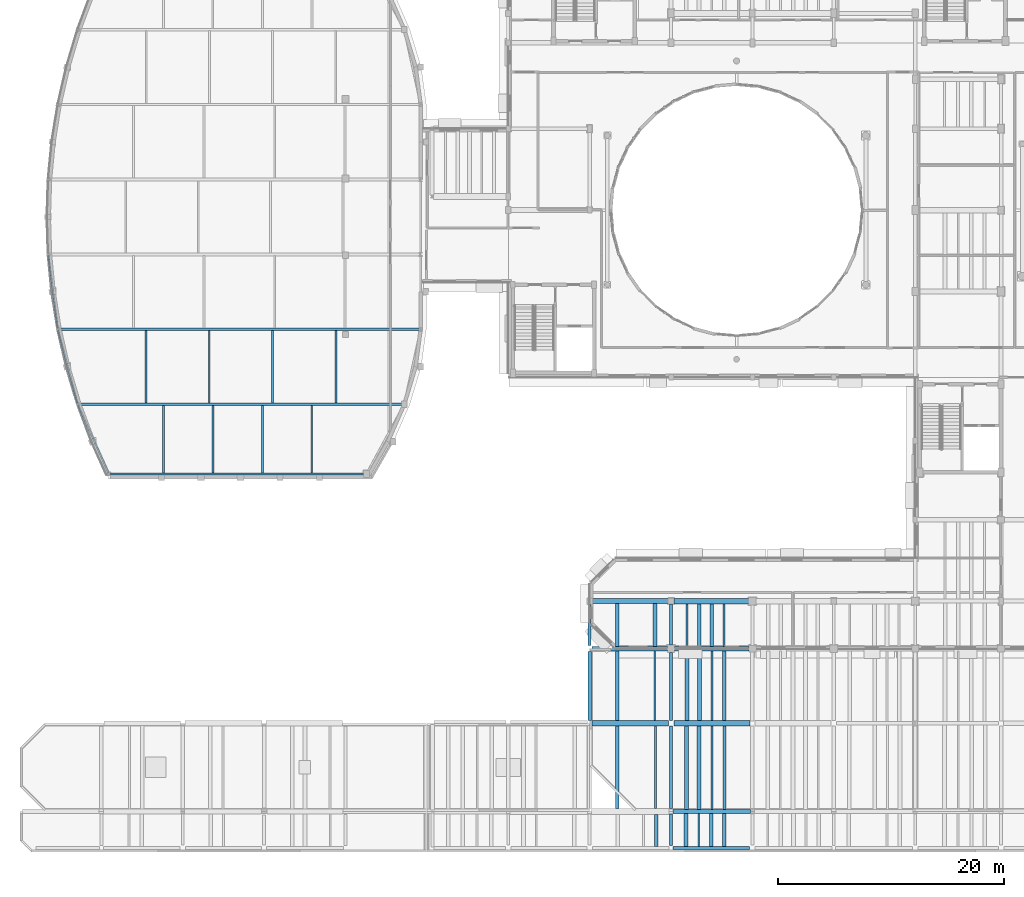
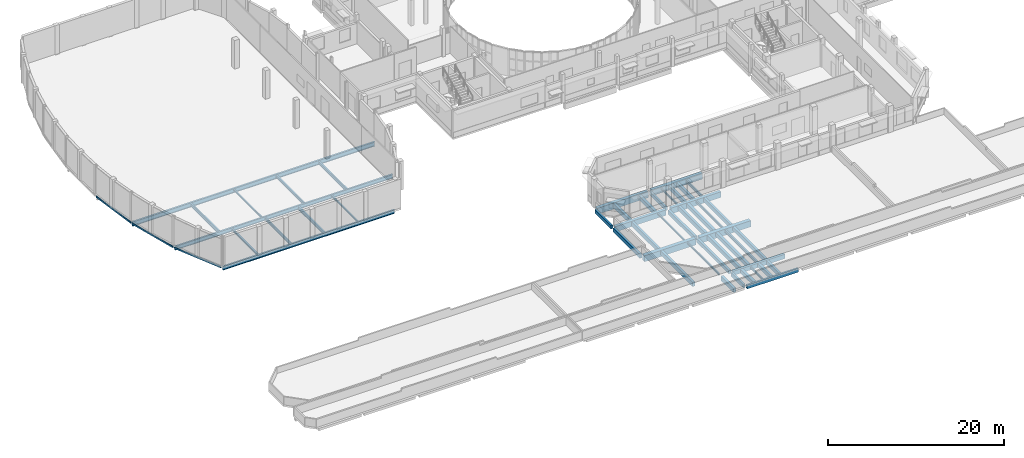
# One storey, part 19 of 105: 51 beams.
"""IFC4 building model written with IfcOpenShell, lengths in metres."""

from ifc_helpers import new_model, si_unit, direction, frame, origin, origin_2d, place, context, subcontext, project, spatial, rectangle, hollow_rectangle, i_section, extrude, material, material_profile, profile_set, type_object, element, save


model = new_model("IFC4")

# Units and contexts
model_context = context("Model", 3, precision=1e-05, world=origin(), true_north=direction((0.0, 1.0)))
body_context = subcontext(model_context, "Body", "Model", "MODEL_VIEW")
ifc_project = project(units=[si_unit("LENGTHUNIT", "METRE"), si_unit("AREAUNIT", "SQUARE_METRE"), si_unit("VOLUMEUNIT", "CUBIC_METRE"), si_unit("PLANEANGLEUNIT", "RADIAN"), si_unit("MASSUNIT", "GRAM", prefix="KILO")], contexts=[model_context])

# Site, building, storey
site_placement = place(None, origin())
site = spatial("IfcSite", under=ifc_project, at=site_placement, CompositionType="ELEMENT")
building_placement = place(site_placement, origin())
building = spatial("IfcBuilding", under=site, at=building_placement, Name="Kelanivale Promenade Academy", CompositionType="ELEMENT")
storey_placement = place(building_placement, frame((0.0, 0.0, 4.199951171875)))
storey = spatial("IfcBuildingStorey", under=building, at=storey_placement, Name="L01", CompositionType="ELEMENT", Elevation=4.199951171875)

# Beams
ifc_material_1 = material(Name="Concrete C35/45", Category="concrete")
ifc_material_profile_1 = material_profile(ifc_material_1, rectangle(XDim=0.449951171875, YDim=0.85009765625, at=origin_2d()), Name="RC-BM 450x850")
ifc_profile_set_1 = profile_set([ifc_material_profile_1], Name="Concrete C35/45")
beam_type_1 = type_object("IfcBeamType", Name="BM-05 RC-BM 450x850", PredefinedType="BEAM", material=ifc_profile_set_1)
beam_1_placement = place(storey_placement, frame((50.64501953125, 22.199951171875, -0.64501953125), z_axis=(1.0, 0.0, 0.0), x_axis=(0.0, 1.0, 0.0)))
element("IfcBeam", 1, at=beam_1_placement, inside=storey, type_object=beam_type_1, Name="L01 girder BM-05", PredefinedType="BEAM", context=body_context, shape_type="SweptSolid", body=[
    extrude(rectangle(XDim=0.449951171875, YDim=0.85009765625, at=origin_2d()), origin(), (0.0, 0.0, 1.0), 6.7099609375),
])
ifc_material_profile_2 = material_profile(ifc_material_1, rectangle(XDim=0.5, YDim=0.75, at=origin_2d()), Name="RC-BM 500x750")
ifc_profile_set_2 = profile_set([ifc_material_profile_2], Name="Concrete C35/45")
beam_type_2 = type_object("IfcBeamType", Name="BM-06 RC-BM 500x750", PredefinedType="BEAM", material=ifc_profile_set_2)
beam_2_placement = place(storey_placement, frame((57.844970703125, 22.199951171875, -0.594970703125), z_axis=(1.0, 0.0, 0.0), x_axis=(0.0, 1.0, 0.0)))
element("IfcBeam", 2, at=beam_2_placement, inside=storey, type_object=beam_type_2, Name="L01 girder BM-06", PredefinedType="BEAM", context=body_context, shape_type="SweptSolid", body=[
    extrude(rectangle(XDim=0.5, YDim=0.75, at=origin_2d()), origin(), (0.0, 0.0, 1.0), 6.635009765625),
])
ifc_material_profile_3 = material_profile(ifc_material_1, rectangle(XDim=0.5, YDim=0.85009765625, at=origin_2d()), Name="RC-BM 500x850")
ifc_profile_set_3 = profile_set([ifc_material_profile_3], Name="Concrete C35/45")
beam_type_3 = type_object("IfcBeamType", Name="BM-07 RC-BM 500x850", PredefinedType="BEAM", material=ifc_profile_set_3)
beam_3_placement = place(storey_placement, frame((50.594970703125, 11.39990234375, -0.6650390625), z_axis=(1.0, 0.0, 0.0), x_axis=(0.0, 1.0, 0.0)))
element("IfcBeam", 3, at=beam_3_placement, inside=storey, type_object=beam_type_3, Name="L01 girder BM-07", PredefinedType="BEAM", context=body_context, shape_type="SweptSolid", body=[
    extrude(rectangle(XDim=0.5, YDim=0.85009765625, at=origin_2d()), origin(), (0.0, 0.0, 1.0), 6.760009765625),
])
beam_4_placement = place(storey_placement, frame((57.844970703125, 11.39990234375, -0.6650390625), z_axis=(1.0, 0.0, 0.0), x_axis=(0.0, 1.0, 0.0)))
element("IfcBeam", 4, at=beam_4_placement, inside=storey, type_object=beam_type_3, Name="L01 girder BM-07", PredefinedType="BEAM", context=body_context, shape_type="SweptSolid", body=[
    extrude(rectangle(XDim=0.5, YDim=0.85009765625, at=origin_2d()), origin(), (0.0, 0.0, 1.0), 6.735107421875),
])
ifc_material_profile_4 = material_profile(ifc_material_1, rectangle(XDim=0.35009765625, YDim=0.60009765625, at=origin_2d()), Name="RC-BM 350x600")
ifc_profile_set_4 = profile_set([ifc_material_profile_4], Name="Concrete C35/45")
beam_type_4 = type_object("IfcBeamType", Name="BM-09 RC-BM 350x600", PredefinedType="BEAM", material=ifc_profile_set_4)
beam_5_placement = place(storey_placement, frame((57.794921875, 3.60009765625, -0.5400390625), z_axis=(1.0, 0.0, 0.0), x_axis=(0.0, 1.0, 0.0)))
element("IfcBeam", 5, at=beam_5_placement, inside=storey, type_object=beam_type_4, Name="L01 girder BM-09", PredefinedType="BEAM", context=body_context, shape_type="SweptSolid", body=[
    extrude(rectangle(XDim=0.35009765625, YDim=0.60009765625, at=origin_2d()), origin(), (0.0, 0.0, 1.0), 6.8349609375),
])
ifc_material_profile_5 = material_profile(ifc_material_1, rectangle(XDim=0.39990234375, YDim=0.75, at=origin_2d()), Name="RC-BM 400x750")
ifc_profile_set_5 = profile_set([ifc_material_profile_5], Name="Concrete C35/45")
beam_type_5 = type_object("IfcBeamType", Name="BM-13 RC-BM 400x750", PredefinedType="BEAM", material=ifc_profile_set_5)
beam_6_placement = place(storey_placement, frame((50.6201171875, 18.0, -0.594970703125), z_axis=(1.0, 0.0, 0.0), x_axis=(0.0, 1.0, 0.0)))
element("IfcBeam", 6, at=beam_6_placement, inside=storey, type_object=beam_type_5, Name="L01 girder BM-13", PredefinedType="BEAM", context=body_context, shape_type="SweptSolid", body=[
    extrude(rectangle(XDim=0.39990234375, YDim=0.75, at=origin_2d()), origin(), (0.0, 0.0, 1.0), 6.659912109375),
])
ifc_material_profile_6 = material_profile(ifc_material_1, rectangle(XDim=0.39990234375, YDim=0.800048828125, at=origin_2d()), Name="RC-BM 400x800")
ifc_profile_set_6 = profile_set([ifc_material_profile_6], Name="Concrete C35/45")
beam_type_6 = type_object("IfcBeamType", Name="BM-14 RC-BM 400x800", PredefinedType="BEAM", material=ifc_profile_set_6)
beam_7_placement = place(storey_placement, frame((57.919921875, 18.0, -0.619873046875), z_axis=(1.0, 0.0, 0.0), x_axis=(0.0, 1.0, 0.0)))
element("IfcBeam", 7, at=beam_7_placement, inside=storey, type_object=beam_type_6, Name="L01 girder BM-14", PredefinedType="BEAM", context=body_context, shape_type="SweptSolid", body=[
    extrude(rectangle(XDim=0.39990234375, YDim=0.800048828125, at=origin_2d()), origin(), (0.0, 0.0, 1.0), 6.5849609375),
])
ifc_material_profile_7 = material_profile(ifc_material_1, rectangle(XDim=0.300048828125, YDim=0.5, at=origin_2d()), Name="RC-BM 300x500")
ifc_profile_set_7 = profile_set([ifc_material_profile_7], Name="Concrete C35/45")
beam_type_7 = type_object("IfcBeamType", Name="JS-01 RC-BM 300x500", PredefinedType="JOIST", material=ifc_profile_set_7)
beam_8_placement = place(storey_placement, frame((57.60009765625, 3.844970703125, -0.489990234375), z_axis=(0.0, 1.0, 0.0), x_axis=(-1.0, 0.0, 0.0)))
element("IfcBeam", 8, at=beam_8_placement, inside=storey, type_object=beam_type_7, Name="L01 beam JS-01", PredefinedType="JOIST", context=body_context, shape_type="SweptSolid", body=[
    extrude(rectangle(XDim=0.300048828125, YDim=0.5, at=origin_2d()), origin(), (0.0, 0.0, 1.0), 7.31005859375),
])
ifc_material_profile_8 = material_profile(ifc_material_1, rectangle(XDim=0.300048828125, YDim=0.550048828125, at=origin_2d()), Name="RC-BM 300x550")
ifc_profile_set_8 = profile_set([ifc_material_profile_8], Name="Concrete C35/45")
beam_type_8 = type_object("IfcBeamType", Name="JS-02 RC-BM 300x550", PredefinedType="JOIST", material=ifc_profile_set_8)
beam_9_placement = place(storey_placement, frame((50.39990234375, 11.64501953125, -0.514892578125), z_axis=(0.0, 1.0, 0.0), x_axis=(-1.0, 0.0, 0.0)))
element("IfcBeam", 9, at=beam_9_placement, inside=storey, type_object=beam_type_8, Name="L01 beam JS-02", PredefinedType="JOIST", context=body_context, shape_type="SweptSolid", body=[
    extrude(rectangle(XDim=0.300048828125, YDim=0.550048828125, at=origin_2d()), origin(), (0.0, 0.0, 1.0), 6.0849609375),
])
beam_10_placement = place(storey_placement, frame((57.60009765625, 11.64501953125, -0.514892578125), z_axis=(0.0, 1.0, 0.0), x_axis=(-1.0, 0.0, 0.0)))
element("IfcBeam", 10, at=beam_10_placement, inside=storey, type_object=beam_type_8, Name="L01 beam JS-02", PredefinedType="JOIST", context=body_context, shape_type="SweptSolid", body=[
    extrude(rectangle(XDim=0.300048828125, YDim=0.550048828125, at=origin_2d()), origin(), (0.0, 0.0, 1.0), 6.034912109375),
])
beam_11_placement = place(storey_placement, frame((61.175048828125, 0.489990234375, -0.514892578125), z_axis=(0.0, 1.0, 0.0), x_axis=(-1.0, 0.0, 0.0)))
element("IfcBeam", 11, at=beam_11_placement, inside=storey, type_object=beam_type_8, Name="L01 secondary sub-beam JS-02", PredefinedType="JOIST", context=body_context, shape_type="SweptSolid", body=[
    extrude(rectangle(XDim=0.300048828125, YDim=0.550048828125, at=origin_2d()), origin(), (0.0, 0.0, 1.0), 2.93505859375),
])
beam_12_placement = place(storey_placement, frame((62.3349609375, 3.77490234375, -0.514892578125), z_axis=(0.0, 1.0, 0.0), x_axis=(-1.0, 0.0, 0.0)))
element("IfcBeam", 12, at=beam_12_placement, inside=storey, type_object=beam_type_8, Name="L01 secondary sub-beam JS-02", PredefinedType="JOIST", context=body_context, shape_type="SweptSolid", body=[
    extrude(rectangle(XDim=0.300048828125, YDim=0.550048828125, at=origin_2d()), origin(), (0.0, 0.0, 1.0), 7.375),
])
beam_13_placement = place(storey_placement, frame((62.31005859375, 11.64990234375, -0.514892578125), z_axis=(0.0, 1.0, 0.0), x_axis=(-1.0, 0.0, 0.0)))
element("IfcBeam", 13, at=beam_13_placement, inside=storey, type_object=beam_type_8, Name="L01 secondary sub-beam JS-02", PredefinedType="JOIST", context=body_context, shape_type="SweptSolid", body=[
    extrude(rectangle(XDim=0.300048828125, YDim=0.550048828125, at=origin_2d()), origin(), (0.0, 0.0, 1.0), 6.150146484375),
])
beam_14_placement = place(storey_placement, frame((60.10693359375, 18.199951171875, -0.494873046875), z_axis=(0.0, 1.0, 0.0), x_axis=(-1.0, 0.0, 0.0)))
element("IfcBeam", 14, at=beam_14_placement, inside=storey, type_object=beam_type_8, Name="L01 secondary sub-beam JS-02", PredefinedType="JOIST", context=body_context, shape_type="SweptSolid", body=[
    extrude(rectangle(XDim=0.300048828125, YDim=0.550048828125, at=origin_2d()), origin(), (0.0, 0.0, 1.0), 3.75),
])
ifc_material_profile_9 = material_profile(ifc_material_1, rectangle(XDim=0.300048828125, YDim=0.60009765625, at=origin_2d()), Name="RC-BM 300x600")
ifc_profile_set_9 = profile_set([ifc_material_profile_9], Name="Concrete C35/45")
beam_type_9 = type_object("IfcBeamType", Name="JS-03 RC-BM 300x600", PredefinedType="JOIST", material=ifc_profile_set_9)
beam_15_placement = place(storey_placement, frame((62.302001953125, 0.489990234375, -0.5400390625), z_axis=(0.0, 1.0, 0.0), x_axis=(-1.0, 0.0, 0.0)))
element("IfcBeam", 15, at=beam_15_placement, inside=storey, type_object=beam_type_9, Name="L01 secondary sub-beam JS-03", PredefinedType="JOIST", context=body_context, shape_type="SweptSolid", body=[
    extrude(rectangle(XDim=0.300048828125, YDim=0.60009765625, at=origin_2d()), origin(), (0.0, 0.0, 1.0), 2.93505859375),
])
beam_16_placement = place(storey_placement, frame((52.847900390625, 3.85009765625, -0.5400390625), z_axis=(0.0, 1.0, 0.0), x_axis=(-1.0, 0.0, 0.0)))
element("IfcBeam", 16, at=beam_16_placement, inside=storey, type_object=beam_type_9, Name="L01 secondary sub-beam JS-03", PredefinedType="JOIST", context=body_context, shape_type="SweptSolid", body=[
    extrude(rectangle(XDim=0.300048828125, YDim=0.60009765625, at=origin_2d()), origin(), (0.0, 0.0, 1.0), 7.2998046875),
])
beam_17_placement = place(storey_placement, frame((52.840087890625, 11.64990234375, -0.5400390625), z_axis=(0.0, 1.0, 0.0), x_axis=(-1.0, 0.0, 0.0)))
element("IfcBeam", 17, at=beam_17_placement, inside=storey, type_object=beam_type_9, Name="L01 secondary sub-beam JS-03", PredefinedType="JOIST", context=body_context, shape_type="SweptSolid", body=[
    extrude(rectangle(XDim=0.300048828125, YDim=0.60009765625, at=origin_2d()), origin(), (0.0, 0.0, 1.0), 6.150146484375),
])
beam_18_placement = place(storey_placement, frame((61.199951171875, 18.199951171875, -0.52001953125), z_axis=(0.0, 1.0, 0.0), x_axis=(-1.0, 0.0, 0.0)))
element("IfcBeam", 18, at=beam_18_placement, inside=storey, type_object=beam_type_9, Name="L01 secondary sub-beam JS-03", PredefinedType="JOIST", context=body_context, shape_type="SweptSolid", body=[
    extrude(rectangle(XDim=0.300048828125, YDim=0.60009765625, at=origin_2d()), origin(), (0.0, 0.0, 1.0), 3.75),
])
ifc_material_profile_10 = material_profile(ifc_material_1, rectangle(XDim=0.320068359375, YDim=0.60009765625, at=origin_2d()), Name="RC-BM 320x600")
ifc_profile_set_10 = profile_set([ifc_material_profile_10], Name="Concrete C35/45")
beam_type_10 = type_object("IfcBeamType", Name="JS-05 RC-BM 320x600", PredefinedType="JOIST", material=ifc_profile_set_10)
beam_19_placement = place(storey_placement, frame((56.278076171875, 0.489990234375, -0.5400390625), z_axis=(0.0, 1.0, 0.0), x_axis=(-1.0, 0.0, 0.0)))
element("IfcBeam", 19, at=beam_19_placement, inside=storey, type_object=beam_type_10, Name="L01 secondary sub-beam JS-05", PredefinedType="JOIST", context=body_context, shape_type="SweptSolid", body=[
    extrude(rectangle(XDim=0.320068359375, YDim=0.60009765625, at=origin_2d()), origin(), (0.0, 0.0, 1.0), 2.860107421875),
])
beam_20_placement = place(storey_placement, frame((58.968017578125, 3.77490234375, -0.5400390625), z_axis=(0.0, 1.0, 0.0), x_axis=(-1.0, 0.0, 0.0)))
element("IfcBeam", 20, at=beam_20_placement, inside=storey, type_object=beam_type_10, Name="L01 secondary sub-beam JS-05", PredefinedType="JOIST", context=body_context, shape_type="SweptSolid", body=[
    extrude(rectangle(XDim=0.320068359375, YDim=0.60009765625, at=origin_2d()), origin(), (0.0, 0.0, 1.0), 7.375),
])
beam_21_placement = place(storey_placement, frame((59.01708984375, 11.64990234375, -0.5400390625), z_axis=(0.0, 1.0, 0.0), x_axis=(-1.0, 0.0, 0.0)))
element("IfcBeam", 21, at=beam_21_placement, inside=storey, type_object=beam_type_10, Name="L01 secondary sub-beam JS-05", PredefinedType="JOIST", context=body_context, shape_type="SweptSolid", body=[
    extrude(rectangle(XDim=0.320068359375, YDim=0.60009765625, at=origin_2d()), origin(), (0.0, 0.0, 1.0), 6.150146484375),
])
beam_22_placement = place(storey_placement, frame((52.85693359375, 18.199951171875, -0.52001953125), z_axis=(0.0, 1.0, 0.0), x_axis=(-1.0, 0.0, 0.0)))
element("IfcBeam", 22, at=beam_22_placement, inside=storey, type_object=beam_type_10, Name="L01 secondary sub-beam JS-05", PredefinedType="JOIST", context=body_context, shape_type="SweptSolid", body=[
    extrude(rectangle(XDim=0.320068359375, YDim=0.60009765625, at=origin_2d()), origin(), (0.0, 0.0, 1.0), 3.775146484375),
])
ifc_material_profile_11 = material_profile(ifc_material_1, rectangle(XDim=0.35009765625, YDim=0.550048828125, at=origin_2d()), Name="RC-BM 350x550")
ifc_profile_set_11 = profile_set([ifc_material_profile_11], Name="Concrete C35/45")
beam_type_11 = type_object("IfcBeamType", Name="JS-06 RC-BM 350x550", PredefinedType="JOIST", material=ifc_profile_set_11)
beam_23_placement = place(storey_placement, frame((58.922119140625, 0.489990234375, -0.514892578125), z_axis=(0.0, 1.0, 0.0), x_axis=(-1.0, 0.0, 0.0)))
element("IfcBeam", 23, at=beam_23_placement, inside=storey, type_object=beam_type_11, Name="L01 secondary sub-beam JS-06", PredefinedType="JOIST", context=body_context, shape_type="SweptSolid", body=[
    extrude(rectangle(XDim=0.35009765625, YDim=0.550048828125, at=origin_2d()), origin(), (0.0, 0.0, 1.0), 2.93505859375),
])
beam_24_placement = place(storey_placement, frame((60.090087890625, 3.77490234375, -0.514892578125), z_axis=(0.0, 1.0, 0.0), x_axis=(-1.0, 0.0, 0.0)))
element("IfcBeam", 24, at=beam_24_placement, inside=storey, type_object=beam_type_11, Name="L01 secondary sub-beam JS-06", PredefinedType="JOIST", context=body_context, shape_type="SweptSolid", body=[
    extrude(rectangle(XDim=0.35009765625, YDim=0.550048828125, at=origin_2d()), origin(), (0.0, 0.0, 1.0), 7.375),
])
beam_25_placement = place(storey_placement, frame((60.114990234375, 11.64990234375, -0.514892578125), z_axis=(0.0, 1.0, 0.0), x_axis=(-1.0, 0.0, 0.0)))
element("IfcBeam", 25, at=beam_25_placement, inside=storey, type_object=beam_type_11, Name="L01 secondary sub-beam JS-06", PredefinedType="JOIST", context=body_context, shape_type="SweptSolid", body=[
    extrude(rectangle(XDim=0.35009765625, YDim=0.550048828125, at=origin_2d()), origin(), (0.0, 0.0, 1.0), 6.150146484375),
])
beam_26_placement = place(storey_placement, frame((56.174072265625, 18.199951171875, -0.494873046875), z_axis=(0.0, 1.0, 0.0), x_axis=(-1.0, 0.0, 0.0)))
element("IfcBeam", 26, at=beam_26_placement, inside=storey, type_object=beam_type_11, Name="L01 secondary sub-beam JS-06", PredefinedType="JOIST", context=body_context, shape_type="SweptSolid", body=[
    extrude(rectangle(XDim=0.35009765625, YDim=0.550048828125, at=origin_2d()), origin(), (0.0, 0.0, 1.0), 3.775146484375),
])
ifc_material_profile_12 = material_profile(ifc_material_1, rectangle(XDim=0.25, YDim=0.5, at=origin_2d()), Name="RC-BM 250x500")
ifc_profile_set_12 = profile_set([ifc_material_profile_12], Name="Concrete C35/45")
beam_type_12 = type_object("IfcBeamType", Name="LN-02 RC-BM 250x500", PredefinedType="LINTEL", material=ifc_profile_set_12)
beam_27_placement = place(storey_placement, frame((50.39990234375, 18.27001953125, -0.469970703125), z_axis=(0.0, 1.0, 0.0), x_axis=(-1.0, 0.0, 0.0)))
element("IfcBeam", 27, at=beam_27_placement, inside=storey, type_object=beam_type_12, Name="L01 beam LN-02", PredefinedType="LINTEL", context=body_context, shape_type="SweptSolid", body=[
    extrude(rectangle(XDim=0.25, YDim=0.5, at=origin_2d()), origin(), (0.0, 0.0, 1.0), 3.635009765625),
])
beam_28_placement = place(storey_placement, frame((57.60009765625, 0.594970703125, -0.489990234375), z_axis=(0.0, 1.0, 0.0), x_axis=(-1.0, 0.0, 0.0)))
element("IfcBeam", 28, at=beam_28_placement, inside=storey, type_object=beam_type_12, Name="L01 beam LN-02", PredefinedType="LINTEL", context=body_context, shape_type="SweptSolid", body=[
    extrude(rectangle(XDim=0.25, YDim=0.5, at=origin_2d()), origin(), (0.0, 0.0, 1.0), 2.760009765625),
])
beam_29_placement = place(storey_placement, frame((57.60009765625, 18.320068359375, -0.469970703125), z_axis=(0.0, 1.0, 0.0), x_axis=(-1.0, 0.0, 0.0)))
element("IfcBeam", 29, at=beam_29_placement, inside=storey, type_object=beam_type_12, Name="L01 beam LN-02", PredefinedType="LINTEL", context=body_context, shape_type="SweptSolid", body=[
    extrude(rectangle(XDim=0.25, YDim=0.5, at=origin_2d()), origin(), (0.0, 0.0, 1.0), 3.635009765625),
])
ifc_material_2 = material(Name="Steel S355", Category="steel")
ifc_material_profile_13 = material_profile(ifc_material_2, i_section(OverallWidth=0.13330078125, OverallDepth=0.203125, WebThickness=0.005615234375, FlangeThickness=0.0078125, FilletRadius=0.007568359375, at=origin_2d()), Name="UB 203x133x25")
ifc_profile_set_13 = profile_set([ifc_material_profile_13], Name="Steel S355")
beam_type_13 = type_object("IfcBeamType", Name="SB-01 UB 203x133x25", PredefinedType="JOIST", material=ifc_profile_set_13)
beam_30_placement = place(storey_placement, frame((56.169921875, 11.64990234375, -0.342041015625), z_axis=(0.0, 1.0, 0.0), x_axis=(-1.0, 0.0, 0.0)))
element("IfcBeam", 30, at=beam_30_placement, inside=storey, type_object=beam_type_13, Name="L01 secondary sub-beam SB-01", PredefinedType="JOIST", context=body_context, shape_type="SweptSolid", body=[
    extrude(i_section(OverallWidth=0.13330078125, OverallDepth=0.203125, WebThickness=0.005615234375, FlangeThickness=0.0078125, FilletRadius=0.007568359375, at=origin_2d()), origin(), (0.0, 0.0, 1.0), 6.150146484375),
])
ifc_material_profile_14 = material_profile(ifc_material_2, i_section(OverallWidth=0.14599609375, OverallDepth=0.25146484375, WebThickness=0.006103515625, FlangeThickness=0.008544921875, FilletRadius=0.007568359375, at=origin_2d()), Name="UB 254x146x31")
ifc_profile_set_14 = profile_set([ifc_material_profile_14], Name="Steel S355")
beam_type_14 = type_object("IfcBeamType", Name="SB-02 UB 254x146x31", PredefinedType="JOIST", material=ifc_profile_set_14)
beam_31_placement = place(storey_placement, frame((56.22802734375, 3.85009765625, -0.365966796875), z_axis=(0.0, 1.0, 0.0), x_axis=(-1.0, 0.0, 0.0)))
element("IfcBeam", 31, at=beam_31_placement, inside=storey, type_object=beam_type_14, Name="L01 secondary sub-beam SB-02", PredefinedType="JOIST", context=body_context, shape_type="SweptSolid", body=[
    extrude(i_section(OverallWidth=0.14599609375, OverallDepth=0.25146484375, WebThickness=0.006103515625, FlangeThickness=0.008544921875, FilletRadius=0.007568359375, at=origin_2d()), origin(), (0.0, 0.0, 1.0), 7.2998046875),
])
beam_32_placement = place(storey_placement, frame((59.012939453125, 18.199951171875, -0.345947265625), z_axis=(0.0, 1.0, 0.0), x_axis=(-1.0, 0.0, 0.0)))
element("IfcBeam", 32, at=beam_32_placement, inside=storey, type_object=beam_type_14, Name="L01 secondary sub-beam SB-02", PredefinedType="JOIST", context=body_context, shape_type="SweptSolid", body=[
    extrude(i_section(OverallWidth=0.14599609375, OverallDepth=0.25146484375, WebThickness=0.006103515625, FlangeThickness=0.008544921875, FilletRadius=0.007568359375, at=origin_2d()), origin(), (0.0, 0.0, 1.0), 3.75),
])
beam_33_placement = place(storey_placement, frame((25.822021484375, 33.550048828125, -0.390869140625), z_axis=(0.0, 1.0, 0.0), x_axis=(-1.0, 0.0, 0.0)))
element("IfcBeam", 33, at=beam_33_placement, inside=storey, type_object=beam_type_14, Name="L01 hall floor secondary joist SB-02", PredefinedType="JOIST", context=body_context, shape_type="SweptSolid", body=[
    extrude(i_section(OverallWidth=0.14599609375, OverallDepth=0.25146484375, WebThickness=0.006103515625, FlangeThickness=0.008544921875, FilletRadius=0.007568359375, at=origin_2d()), origin(), (0.0, 0.0, 1.0), 5.97900390625),
])
beam_34_placement = place(storey_placement, frame((16.757080078125, 39.72900390625, -0.390869140625), z_axis=(0.0, 1.0, 0.0), x_axis=(-1.0, 0.0, 0.0)))
element("IfcBeam", 34, at=beam_34_placement, inside=storey, type_object=beam_type_14, Name="L01 hall floor secondary joist SB-02", PredefinedType="JOIST", context=body_context, shape_type="SweptSolid", body=[
    extrude(i_section(OverallWidth=0.14599609375, OverallDepth=0.25146484375, WebThickness=0.006103515625, FlangeThickness=0.008544921875, FilletRadius=0.007568359375, at=origin_2d()), origin(), (0.0, 0.0, 1.0), 6.4189453125),
])
ifc_material_profile_15 = material_profile(ifc_material_2, i_section(OverallWidth=0.1650390625, OverallDepth=0.303466796875, WebThickness=0.006103515625, FlangeThickness=0.01025390625, FilletRadius=0.0087890625, at=origin_2d()), Name="UB 305x165x40")
ifc_profile_set_15 = profile_set([ifc_material_profile_15], Name="Steel S355")
beam_type_15 = type_object("IfcBeamType", Name="SB-03 UB 305x165x40", PredefinedType="BEAM", material=ifc_profile_set_15)
beam_35_placement = place(storey_placement, frame((60.048095703125, 0.489990234375, -0.391845703125), z_axis=(0.0, 1.0, 0.0), x_axis=(-1.0, 0.0, 0.0)))
element("IfcBeam", 35, at=beam_35_placement, inside=storey, type_object=beam_type_15, Name="L01 secondary sub-beam SB-03", PredefinedType="BEAM", context=body_context, shape_type="SweptSolid", body=[
    extrude(i_section(OverallWidth=0.1650390625, OverallDepth=0.303466796875, WebThickness=0.006103515625, FlangeThickness=0.01025390625, FilletRadius=0.0087890625, at=origin_2d()), origin(), (0.0, 0.0, 1.0), 2.93505859375),
])
beam_36_placement = place(storey_placement, frame((12.68994140625, 33.550048828125, -0.4169921875), z_axis=(0.0, 1.0, 0.0), x_axis=(-1.0, 0.0, 0.0)))
element("IfcBeam", 36, at=beam_36_placement, inside=storey, type_object=beam_type_15, Name="L01 hall floor secondary joist SB-03", PredefinedType="BEAM", context=body_context, shape_type="SweptSolid", body=[
    extrude(i_section(OverallWidth=0.1650390625, OverallDepth=0.303466796875, WebThickness=0.006103515625, FlangeThickness=0.01025390625, FilletRadius=0.0087890625, at=origin_2d()), origin(), (0.0, 0.0, 1.0), 5.97900390625),
])
ifc_material_profile_16 = material_profile(ifc_material_2, i_section(OverallWidth=0.17138671875, OverallDepth=0.35498046875, WebThickness=0.00732421875, FlangeThickness=0.011474609375, FilletRadius=0.01025390625, at=origin_2d()), Name="UB 356x171x51")
ifc_profile_set_16 = profile_set([ifc_material_profile_16], Name="Steel S355")
beam_type_16 = type_object("IfcBeamType", Name="SB-04 UB 356x171x51", PredefinedType="BEAM", material=ifc_profile_set_16)
beam_37_placement = place(storey_placement, frame((61.2119140625, 11.64990234375, -0.41796875), z_axis=(0.0, 1.0, 0.0), x_axis=(-1.0, 0.0, 0.0)))
element("IfcBeam", 37, at=beam_37_placement, inside=storey, type_object=beam_type_16, Name="L01 secondary sub-beam SB-04", PredefinedType="BEAM", context=body_context, shape_type="SweptSolid", body=[
    extrude(i_section(OverallWidth=0.17138671875, OverallDepth=0.35498046875, WebThickness=0.00732421875, FlangeThickness=0.011474609375, FilletRadius=0.01025390625, at=origin_2d()), origin(), (0.0, 0.0, 1.0), 6.150146484375),
])
beam_38_placement = place(storey_placement, frame((22.35400390625, 39.72900390625, -0.44189453125), z_axis=(0.0, 1.0, 0.0), x_axis=(-1.0, 0.0, 0.0)))
element("IfcBeam", 38, at=beam_38_placement, inside=storey, type_object=beam_type_16, Name="L01 hall floor secondary joist SB-04", PredefinedType="BEAM", context=body_context, shape_type="SweptSolid", body=[
    extrude(i_section(OverallWidth=0.17138671875, OverallDepth=0.35498046875, WebThickness=0.00732421875, FlangeThickness=0.011474609375, FilletRadius=0.01025390625, at=origin_2d()), origin(), (0.0, 0.0, 1.0), 6.4189453125),
])
ifc_material_profile_17 = material_profile(ifc_material_2, i_section(OverallWidth=0.177978515625, OverallDepth=0.406494140625, WebThickness=0.0078125, FlangeThickness=0.0126953125, FilletRadius=0.01025390625, at=origin_2d()), Name="UB 406x178x60")
ifc_profile_set_17 = profile_set([ifc_material_profile_17], Name="Steel S355")
beam_type_17 = type_object("IfcBeamType", Name="SB-05 UB 406x178x60", PredefinedType="BEAM", material=ifc_profile_set_17)
beam_39_placement = place(storey_placement, frame((61.2119140625, 3.77490234375, -0.44287109375), z_axis=(0.0, 1.0, 0.0), x_axis=(-1.0, 0.0, 0.0)))
element("IfcBeam", 39, at=beam_39_placement, inside=storey, type_object=beam_type_17, Name="L01 secondary sub-beam SB-05", PredefinedType="BEAM", context=body_context, shape_type="SweptSolid", body=[
    extrude(i_section(OverallWidth=0.177978515625, OverallDepth=0.406494140625, WebThickness=0.0078125, FlangeThickness=0.0126953125, FilletRadius=0.01025390625, at=origin_2d()), origin(), (0.0, 0.0, 1.0), 7.375),
])
beam_40_placement = place(storey_placement, frame((62.29296875, 18.199951171875, -0.4228515625), z_axis=(0.0, 1.0, 0.0), x_axis=(-1.0, 0.0, 0.0)))
element("IfcBeam", 40, at=beam_40_placement, inside=storey, type_object=beam_type_17, Name="L01 secondary sub-beam SB-05", PredefinedType="BEAM", context=body_context, shape_type="SweptSolid", body=[
    extrude(i_section(OverallWidth=0.177978515625, OverallDepth=0.406494140625, WebThickness=0.0078125, FlangeThickness=0.0126953125, FilletRadius=0.01025390625, at=origin_2d()), origin(), (0.0, 0.0, 1.0), 3.75),
])
beam_41_placement = place(storey_placement, frame((17.06689453125, 33.550048828125, -0.468017578125), z_axis=(0.0, 1.0, 0.0), x_axis=(-1.0, 0.0, 0.0)))
element("IfcBeam", 41, at=beam_41_placement, inside=storey, type_object=beam_type_17, Name="L01 hall floor secondary joist SB-05", PredefinedType="BEAM", context=body_context, shape_type="SweptSolid", body=[
    extrude(i_section(OverallWidth=0.177978515625, OverallDepth=0.406494140625, WebThickness=0.0078125, FlangeThickness=0.0126953125, FilletRadius=0.01025390625, at=origin_2d()), origin(), (0.0, 0.0, 1.0), 5.97900390625),
])
ifc_material_profile_18 = material_profile(ifc_material_2, i_section(OverallWidth=0.18994140625, OverallDepth=0.453369140625, WebThickness=0.008544921875, FlangeThickness=0.0126953125, FilletRadius=0.01025390625, at=origin_2d()), Name="UB 457x191x67")
ifc_profile_set_18 = profile_set([ifc_material_profile_18], Name="Steel S355")
beam_type_18 = type_object("IfcBeamType", Name="SB-06 UB 457x191x67", PredefinedType="BEAM", material=ifc_profile_set_18)
beam_42_placement = place(storey_placement, frame((27.951904296875, 39.72900390625, -0.491943359375), z_axis=(0.0, 1.0, 0.0), x_axis=(-1.0, 0.0, 0.0)))
element("IfcBeam", 42, at=beam_42_placement, inside=storey, type_object=beam_type_18, Name="L01 hall floor secondary joist SB-06", PredefinedType="BEAM", context=body_context, shape_type="SweptSolid", body=[
    extrude(i_section(OverallWidth=0.18994140625, OverallDepth=0.453369140625, WebThickness=0.008544921875, FlangeThickness=0.0126953125, FilletRadius=0.01025390625, at=origin_2d()), origin(), (0.0, 0.0, 1.0), 6.4189453125),
])
ifc_material_profile_19 = material_profile(ifc_material_2, i_section(OverallWidth=0.19140625, OverallDepth=0.4599609375, WebThickness=0.010009765625, FlangeThickness=0.01611328125, FilletRadius=0.01025390625, at=origin_2d()), Name="UB 457x191x82")
ifc_profile_set_19 = profile_set([ifc_material_profile_19], Name="Steel S355")
beam_type_19 = type_object("IfcBeamType", Name="SB-07 UB 457x191x82", PredefinedType="BEAM", material=ifc_profile_set_19)
beam_43_placement = place(storey_placement, frame((21.445068359375, 33.550048828125, -0.494873046875), z_axis=(0.0, 1.0, 0.0), x_axis=(-1.0, 0.0, 0.0)))
element("IfcBeam", 43, at=beam_43_placement, inside=storey, type_object=beam_type_19, Name="L01 hall floor secondary joist SB-07", PredefinedType="BEAM", context=body_context, shape_type="SweptSolid", body=[
    extrude(i_section(OverallWidth=0.19140625, OverallDepth=0.4599609375, WebThickness=0.010009765625, FlangeThickness=0.01611328125, FilletRadius=0.01025390625, at=origin_2d()), origin(), (0.0, 0.0, 1.0), 5.97900390625),
])
beam_44_placement = place(storey_placement, frame((11.158935546875, 39.72900390625, -0.494873046875), z_axis=(0.0, 1.0, 0.0), x_axis=(-1.0, 0.0, 0.0)))
element("IfcBeam", 44, at=beam_44_placement, inside=storey, type_object=beam_type_19, Name="L01 hall floor secondary joist SB-07", PredefinedType="BEAM", context=body_context, shape_type="SweptSolid", body=[
    extrude(i_section(OverallWidth=0.19140625, OverallDepth=0.4599609375, WebThickness=0.010009765625, FlangeThickness=0.01611328125, FilletRadius=0.01025390625, at=origin_2d()), origin(), (0.0, 0.0, 1.0), 6.4189453125),
])
ifc_material_profile_20 = material_profile(ifc_material_2, i_section(OverallWidth=0.209228515625, OverallDepth=0.533203125, WebThickness=0.010009765625, FlangeThickness=0.015625, FilletRadius=0.0126953125, at=origin_2d()), Name="UB 533x210x92")
ifc_profile_set_20 = profile_set([ifc_material_profile_20], Name="Steel S355")
beam_type_20 = type_object("IfcBeamType", Name="SB-08 UB 533x210x92", PredefinedType="BEAM", material=ifc_profile_set_20)
beam_45_placement = place(storey_placement, frame((7.9619140625, 33.449951171875, -0.531982421875), z_axis=(1.0, 0.0, 0.0), x_axis=(0.0, 1.0, 0.0)))
element("IfcBeam", 45, at=beam_45_placement, inside=storey, type_object=beam_type_20, Name="L01 hall floor steel girder SB-08", PredefinedType="BEAM", context=body_context, shape_type="SweptSolid", body=[
    extrude(i_section(OverallWidth=0.209228515625, OverallDepth=0.533203125, WebThickness=0.010009765625, FlangeThickness=0.015625, FilletRadius=0.0126953125, at=origin_2d()), origin(), (0.0, 0.0, 1.0), 22.588134765625),
])
ifc_material_profile_21 = material_profile(ifc_material_2, i_section(OverallWidth=0.210693359375, OverallDepth=0.53955078125, WebThickness=0.01171875, FlangeThickness=0.018798828125, FilletRadius=0.0126953125, at=origin_2d()), Name="UB 533x210x109")
ifc_profile_set_21 = profile_set([ifc_material_profile_21], Name="Steel S355")
beam_type_21 = type_object("IfcBeamType", Name="SB-09 UB 533x210x109", PredefinedType="BEAM", material=ifc_profile_set_21)
beam_46_placement = place(storey_placement, frame((5.2109375, 39.62890625, -0.534912109375), z_axis=(1.0, 0.0, 0.0), x_axis=(0.0, 1.0, 0.0)))
element("IfcBeam", 46, at=beam_46_placement, inside=storey, type_object=beam_type_21, Name="L01 hall floor steel girder SB-09", PredefinedType="BEAM", context=body_context, shape_type="SweptSolid", body=[
    extrude(i_section(OverallWidth=0.210693359375, OverallDepth=0.53955078125, WebThickness=0.01171875, FlangeThickness=0.018798828125, FilletRadius=0.0126953125, at=origin_2d()), origin(), (0.0, 0.0, 1.0), 28.68896484375),
])
ifc_material_profile_22 = material_profile(ifc_material_2, i_section(OverallWidth=0.22900390625, OverallDepth=0.6123046875, WebThickness=0.011962890625, FlangeThickness=0.01953125, FilletRadius=0.0126953125, at=origin_2d()), Name="UB 610x229x125")
ifc_profile_set_22 = profile_set([ifc_material_profile_22], Name="Steel S355")
beam_type_22 = type_object("IfcBeamType", Name="SB-10 UB 610x229x125", PredefinedType="BEAM", material=ifc_profile_set_22)
beam_47_placement = place(storey_placement, frame((3.458984375, 46.257080078125, -0.571044921875), z_axis=(1.0, 0.0, 0.0), x_axis=(0.0, 1.0, 0.0)))
element("IfcBeam", 47, at=beam_47_placement, inside=storey, type_object=beam_type_22, Name="L01 hall floor steel girder SB-10", PredefinedType="BEAM", context=body_context, shape_type="SweptSolid", body=[
    extrude(i_section(OverallWidth=0.22900390625, OverallDepth=0.6123046875, WebThickness=0.011962890625, FlangeThickness=0.01953125, FilletRadius=0.0126953125, at=origin_2d()), origin(), (0.0, 0.0, 1.0), 31.89111328125),
])
ifc_material_profile_23 = material_profile(ifc_material_2, hollow_rectangle(XDim=0.14990234375, YDim=0.25, WallThickness=0.010009765625, InnerFilletRadius=0.010009765625, OuterFilletRadius=0.02001953125, at=origin_2d()), Name="RHS 250x150x10.0")
ifc_profile_set_23 = profile_set([ifc_material_profile_23], Name="Steel S355")
beam_type_23 = type_object("IfcBeamType", Name="SB-13 RHS 250x150x10.0", PredefinedType="SPANDREL", material=ifc_profile_set_23)
beam_48_placement = place(storey_placement, frame((7.821044921875, 33.541015625, -0.389892578125), z_axis=(-0.406593934051, 0.913608982439, 0.0), x_axis=(-0.913608982439, -0.406593934051, 0.0)))
element("IfcBeam", 48, at=beam_48_placement, inside=storey, type_object=beam_type_23, Name="Sports Hall Crescent Pavilion curved ring beam SB-13", PredefinedType="SPANDREL", context=body_context, shape_type="SweptSolid", body=[
    extrude(hollow_rectangle(XDim=0.14990234375, YDim=0.25, WallThickness=0.010009765625, InnerFilletRadius=0.010009765625, OuterFilletRadius=0.02001953125, at=origin_2d()), origin(), (0.0, 0.0, 1.0), 6.564208984375),
])
beam_49_placement = place(storey_placement, frame((5.0849609375, 39.72607421875, -0.389892578125), z_axis=(-0.255453887547, 0.966821240632, 0.0), x_axis=(-0.966821240632, -0.255453887547, 0.0)))
element("IfcBeam", 49, at=beam_49_placement, inside=storey, type_object=beam_type_23, Name="Sports Hall Crescent Pavilion curved ring beam SB-13", PredefinedType="SPANDREL", context=body_context, shape_type="SweptSolid", body=[
    extrude(hollow_rectangle(XDim=0.14990234375, YDim=0.25, WallThickness=0.010009765625, InnerFilletRadius=0.010009765625, OuterFilletRadius=0.02001953125, at=origin_2d()), origin(), (0.0, 0.0, 1.0), 6.654541015625),
])
beam_50_placement = place(storey_placement, frame((3.345947265625, 46.35595703125, -0.389892578125), z_axis=(-0.12752809224, 0.991834958897, 0.0), x_axis=(-0.991834958897, -0.12752809224, 0.0)))
element("IfcBeam", 50, at=beam_50_placement, inside=storey, type_object=beam_type_23, Name="Sports Hall Crescent Pavilion curved ring beam SB-13", PredefinedType="SPANDREL", context=body_context, shape_type="SweptSolid", body=[
    extrude(hollow_rectangle(XDim=0.14990234375, YDim=0.25, WallThickness=0.010009765625, InnerFilletRadius=0.010009765625, OuterFilletRadius=0.02001953125, at=origin_2d()), origin(), (0.0, 0.0, 1.0), 6.484130859375),
])
ifc_material_profile_24 = material_profile(ifc_material_1, rectangle(XDim=0.280029296875, YDim=0.5, at=origin_2d()), Name="RC-BM 280x500")
ifc_profile_set_24 = profile_set([ifc_material_profile_24], Name="Concrete C35/45")
beam_type_24 = type_object("IfcBeamType", Name="SP-01 RC-BM 280x500", PredefinedType="SPANDREL", material=ifc_profile_set_24)
beam_51_placement = place(storey_placement, frame((57.77001953125, 0.35009765625, -0.489990234375), z_axis=(1.0, 0.0, 0.0), x_axis=(0.0, 1.0, 0.0)))
element("IfcBeam", 51, at=beam_51_placement, inside=storey, type_object=beam_type_24, Name="L01 girder SP-01", PredefinedType="SPANDREL", context=body_context, shape_type="SweptSolid", body=[
    extrude(rectangle(XDim=0.280029296875, YDim=0.5, at=origin_2d()), origin(), (0.0, 0.0, 1.0), 6.784912109375),
])

save(model, "model.ifc")
